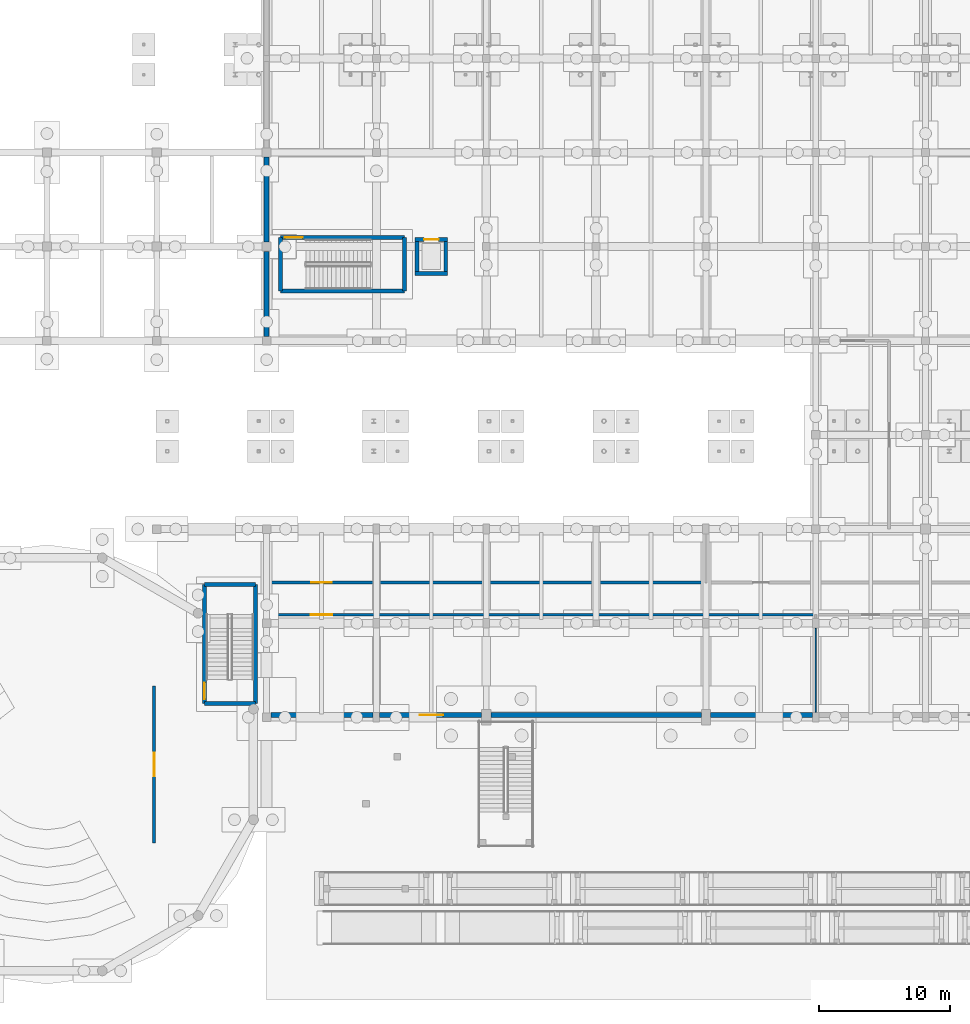
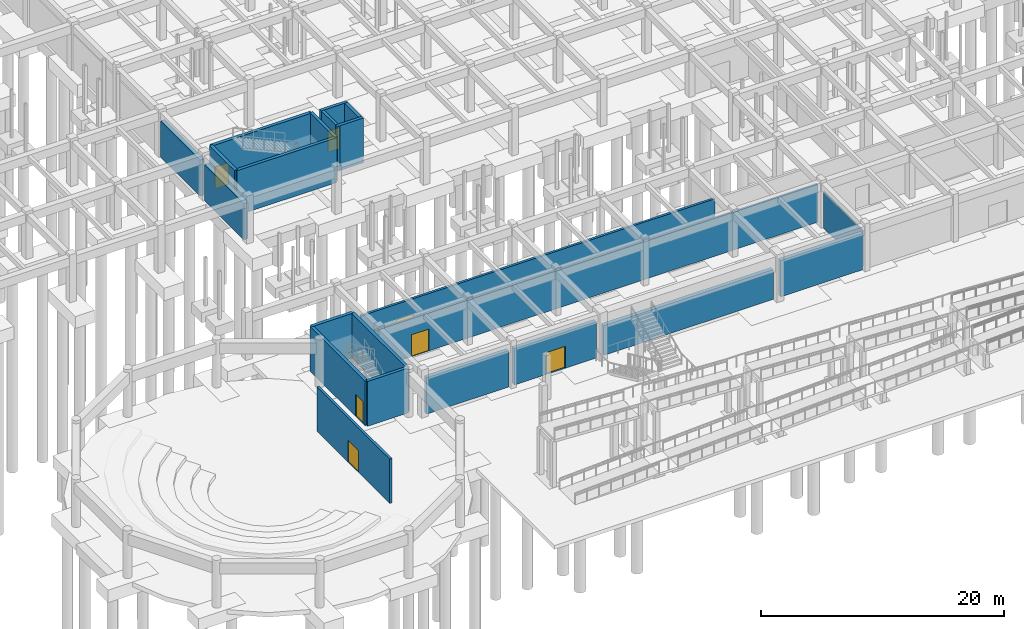
# One storey, part 58 of 80: 22 walls, 7 doors, 7 openings.
"""IFC4 building model written with IfcOpenShell, lengths in metres."""

import ifcopenshell
import ifcopenshell.guid

model = None  # the IFC model being written
_history = None  # IfcOwnerHistory: only IFC2X3 demands one
_inside = {}  # id of a spatial element -> (the spatial element, [elements in it])
_under = {}  # id of a project, library or spatial element -> (it, [spatial elements below it])
_declared = {}  # id of a project -> (the project, [libraries it declares])
_typed = {}  # id of a type object -> (the type object, [elements of that type])
_made_of = {}  # id of a material, layer set ... -> (it, [elements and type objects made of it])


def new_model(schema):
    """Start an empty IFC model of exactly this schema.

    Asked for "IFC4X3", IfcOpenShell would pick the latest addendum, in which some entities
    have other attributes; the version numbers below select the first issue.
    IFC2X3 requires an IfcOwnerHistory on every rooted entity: one is made here for all.
    """
    global model, _history
    if schema == "IFC4X3":
        model = ifcopenshell.file(schema_version=(4, 3, 0, 0))
    else:
        model = ifcopenshell.file(schema=schema)
    _inside.clear()
    _under.clear()
    _declared.clear()
    _typed.clear()
    _made_of.clear()
    _history = None
    if model.schema == "IFC2X3":
        org = make("IfcOrganization", Name="unknown")
        user = make(
            "IfcPersonAndOrganization",
            ThePerson=make("IfcPerson", FamilyName="unknown"),
            TheOrganization=org,
        )
        app = make(
            "IfcApplication",
            ApplicationDeveloper=org,
            Version="unknown",
            ApplicationFullName="unknown",
            ApplicationIdentifier="unknown",
        )
        _history = make(
            "IfcOwnerHistory",
            OwningUser=user,
            OwningApplication=app,
            ChangeAction="ADDED",
            CreationDate=0,
        )
    return model


def make(cls, **values):
    """One entity of the class cls with the attributes given. An attribute that is None is left unset."""
    return model.create_entity(
        cls, **{name: value for name, value in values.items() if value is not None}
    )


def rooted(cls, **values):
    """An entity with a GlobalId (a new one), such as an element, a storey or a relation."""
    return make(cls, GlobalId=ifcopenshell.guid.new(), OwnerHistory=_history, **values)


def si_unit(unit_type, name, prefix=None):
    """IfcSIUnit, for example si_unit("LENGTHUNIT", "METRE", prefix="MILLI")."""
    return make("IfcSIUnit", UnitType=unit_type, Prefix=prefix, Name=name)


def assignment(units):
    """IfcUnitAssignment: the units of a project."""
    return None if units is None else make("IfcUnitAssignment", Units=units)


def point(xyz):
    """IfcCartesianPoint."""
    return None if xyz is None else make("IfcCartesianPoint", Coordinates=xyz)


def direction(xyz):
    """IfcDirection."""
    return None if xyz is None else make("IfcDirection", DirectionRatios=xyz)


def frame(location, z_axis=None, x_axis=None):
    """IfcAxis2Placement3D, a coordinate frame: its origin and axes. An axis left out is left unset."""
    return make(
        "IfcAxis2Placement3D",
        Location=point(location),
        Axis=direction(z_axis),
        RefDirection=direction(x_axis),
    )


def frame_2d(location, x_axis=None):
    """IfcAxis2Placement2D, a coordinate frame in the plane: its origin and x axis."""
    return make(
        "IfcAxis2Placement2D", Location=point(location), RefDirection=direction(x_axis)
    )


def origin():
    """The frame at (0, 0, 0) with its axes left unset."""
    return frame((0.0, 0.0, 0.0))


def place(relative_to, where):
    """IfcLocalPlacement: puts the frame where relative to a parent placement (None: the world)."""
    return make(
        "IfcLocalPlacement", PlacementRelTo=relative_to, RelativePlacement=where
    )


def context(
    kind, dimensions, precision=None, world=None, true_north=None, identifier=None
):
    """IfcGeometricRepresentationContext, for example the 3D "Model" context."""
    return make(
        "IfcGeometricRepresentationContext",
        ContextIdentifier=identifier,
        ContextType=kind,
        CoordinateSpaceDimension=dimensions,
        Precision=precision,
        WorldCoordinateSystem=world,
        TrueNorth=true_north,
    )


def subcontext(parent, identifier, kind, view, scale=None):
    """IfcGeometricRepresentationSubContext, for example "Body" below "Model"."""
    return make(
        "IfcGeometricRepresentationSubContext",
        ContextIdentifier=identifier,
        ContextType=kind,
        ParentContext=parent,
        TargetScale=scale,
        TargetView=view,
    )


def project(units=None, contexts=None):
    """IfcProject with its units and contexts."""
    return rooted(
        "IfcProject",
        Name="project",
        RepresentationContexts=contexts,
        UnitsInContext=assignment(units),
    )


def spatial(cls, under=None, at=None, **own):
    """A site, building, storey or space (cls), placed at a placement, below another one or the project."""
    s = rooted(cls, ObjectPlacement=at, **own)
    if under is not None:
        _under.setdefault(under.id(), (under, []))[1].append(s)
    return s


def profile(cls, at=None, kind="AREA", **sizes):
    """A parametric profile (cls). Its sizes go by their IFC names, for example OverallWidth=200.0."""
    return make(cls, ProfileType=kind, Position=at, **sizes)


def rectangle(**sizes):
    """IfcRectangleProfileDef."""
    return profile("IfcRectangleProfileDef", **sizes)


def extrude(swept, where, along, depth):
    """IfcExtrudedAreaSolid: the profile swept, set in the frame where, extruded along a direction by depth."""
    return make(
        "IfcExtrudedAreaSolid",
        SweptArea=swept,
        Position=where,
        ExtrudedDirection=direction(along),
        Depth=depth,
    )


def shape(context_of_items, identifier, shape_type, items):
    """IfcShapeRepresentation: the items that make up one representation, for example the "Body"."""
    return make(
        "IfcShapeRepresentation",
        ContextOfItems=context_of_items,
        RepresentationIdentifier=identifier,
        RepresentationType=shape_type,
        Items=items,
    )


def material(Name=None, Category=None):
    """IfcMaterial."""
    return make("IfcMaterial", Name=Name, Category=Category)


def layer(
    of_material, thickness, ventilated=None, Name=None, Category=None, Priority=None
):
    """IfcMaterialLayer: one layer of a wall or slab, of a material (None: an air gap)."""
    return make(
        "IfcMaterialLayer",
        Material=of_material,
        LayerThickness=thickness,
        IsVentilated=ventilated,
        Name=Name,
        Category=Category,
        Priority=Priority,
    )


def layer_set(layers, Name=None):
    """IfcMaterialLayerSet."""
    return make("IfcMaterialLayerSet", MaterialLayers=layers, LayerSetName=Name)


def made_of(thing, what):
    """Note that an element or type object is made of a material, layer set ...; save() writes the relation."""
    if what is not None:
        _made_of.setdefault(what.id(), (what, []))[1].append(thing)
    return thing


def type_object(cls, material=None, **own):
    """A type object (cls), such as IfcWallType, which elements share."""
    return made_of(rooted(cls, **own), material)


def element(
    cls,
    number,
    at=None,
    inside=None,
    cuts=None,
    type_object=None,
    material=None,
    context=None,
    identifier="Body",
    shape_type=None,
    held_by="IfcProductDefinitionShape",
    body=None,
    shapes=None,
    **own,
):
    """One element of the class cls, such as IfcWall. Its Tag is "e" and its number.

    at: its placement. inside: the storey or other place that contains it. cuts: it is an
    opening in that element (IfcRelVoidsElement). A single representation is given by context,
    identifier, shape_type and body (its items); several are given by shapes. held_by: the class
    of the entity that holds the representations. save() writes the other relations.
    """
    e = rooted(cls, Tag="e%d" % number, ObjectPlacement=at, **own)
    if body is not None:
        shapes = [shape(context, identifier, shape_type, body)]
    if shapes is not None:
        e.Representation = make(held_by, Representations=shapes)
    if inside is not None:
        _inside.setdefault(inside.id(), (inside, []))[1].append(e)
    if cuts is not None:
        rooted(
            "IfcRelVoidsElement", RelatingBuildingElement=cuts, RelatedOpeningElement=e
        )
    if type_object is not None:
        _typed.setdefault(type_object.id(), (type_object, []))[1].append(e)
    return made_of(e, material)


def fill(opening, filler):
    """IfcRelFillsElement: the door or window that sits in an opening."""
    return rooted(
        "IfcRelFillsElement",
        RelatingOpeningElement=opening,
        RelatedBuildingElement=filler,
    )


def aggregate(whole, parts):
    """IfcRelAggregates: a whole, such as a stair, and the parts it consists of."""
    return rooted("IfcRelAggregates", RelatingObject=whole, RelatedObjects=parts)


def save(model, path):
    """Write the relations noted so far, then the file.

    IfcRelAggregates (storeys below a building ...), IfcRelContainedInSpatialStructure (elements
    in a storey), IfcRelDefinesByType, IfcRelAssociatesMaterial and IfcRelDeclares: one each for
    every whole, place, type object, material and project.
    """
    for whole, parts in _under.values():
        aggregate(whole, parts)
    for where, things in _inside.values():
        rooted(
            "IfcRelContainedInSpatialStructure",
            RelatedElements=things,
            RelatingStructure=where,
        )
    for kind, things in _typed.values():
        rooted("IfcRelDefinesByType", RelatedObjects=things, RelatingType=kind)
    for what, things in _made_of.values():
        rooted("IfcRelAssociatesMaterial", RelatedObjects=things, RelatingMaterial=what)
    for by, libraries in _declared.values():
        rooted("IfcRelDeclares", RelatingContext=by, RelatedDefinitions=libraries)
    model.write(path)


model = new_model("IFC4")

# Units and contexts
model_context = context("Model", 3, precision=1e-05, world=origin(), true_north=direction((0.0, 1.0)))
body_context = subcontext(model_context, "Body", "Model", "MODEL_VIEW")
ifc_project = project(units=[si_unit("LENGTHUNIT", "METRE"), si_unit("AREAUNIT", "SQUARE_METRE"), si_unit("VOLUMEUNIT", "CUBIC_METRE"), si_unit("PLANEANGLEUNIT", "RADIAN"), si_unit("MASSUNIT", "GRAM", prefix="KILO")], contexts=[model_context])

# Site, building, storey
site_placement = place(None, origin())
site = spatial("IfcSite", under=ifc_project, at=site_placement, CompositionType="ELEMENT")
building_placement = place(site_placement, origin())
building = spatial("IfcBuilding", under=site, at=building_placement, Name="Malvenik Polytechnic", CompositionType="ELEMENT")
storey_placement = place(building_placement, frame((0.0, 0.0, -4.800048828125)))
storey = spatial("IfcBuildingStorey", under=building, at=storey_placement, Name="B1", CompositionType="ELEMENT", Elevation=-4.800048828125)

# Wall
ifc_material_1 = material(Name="Concrete C35/45", Category="concrete")
ifc_layer_1 = layer(ifc_material_1, 0.280029296875)
ifc_layer_set_1 = layer_set([ifc_layer_1], Name="Concrete C35/45")
wall_type_1 = type_object("IfcWallType", Name="ARC-CW-S280", PredefinedType="SHEAR", material=ifc_layer_set_1)
wall_1_placement = place(storey_placement, frame((47.43994140625, 55.550048828125, 0.0), z_axis=(0.0, 0.0, 1.0), x_axis=(-1.0, 0.0, 0.0)))
element("IfcWall", 1, at=wall_1_placement, inside=storey, type_object=wall_type_1, Name="Lift Shaft Shear Wall LP-03 B1 -Y", PredefinedType="SHEAR", context=body_context, shape_type="SweptSolid", body=[
    extrude(rectangle(XDim=2.47998046875, YDim=0.280029296875, at=frame_2d((1.239990234375, 0.0))), origin(), (0.0, 0.0, 1.0), 4.5),
])

# Wall, opening, door
wall_2_placement = place(storey_placement, frame((44.9599609375, 58.14990234375, 0.0), z_axis=(0.0, 0.0, 1.0), x_axis=(1.0, 0.0, 0.0)))
wall_2 = element("IfcWall", 2, at=wall_2_placement, inside=storey, type_object=wall_type_1, Name="Lift Shaft Shear Wall LP-03 B1 +Y", PredefinedType="SHEAR", context=body_context, shape_type="SweptSolid", body=[
    extrude(rectangle(XDim=2.47998046875, YDim=0.280029296875, at=frame_2d((1.239990234375, 0.0))), origin(), (0.0, 0.0, 1.0), 4.5),
])
opening_1_placement = place(wall_2_placement, frame((0.68994140625, 0.0, 0.0)))
opening_1 = element("IfcOpeningElement", 3, at=opening_1_placement, cuts=wall_2, Name="Opening LD-01", PredefinedType="OPENING", context=body_context, shape_type="SweptSolid", body=[
    extrude(rectangle(XDim=1.10009765625, YDim=2.14990234375, at=frame_2d((0.550048828125, 1.074951171875))), frame((0.0, 0.14990234375, 0.0), z_axis=(0.0, -1.0, 0.0), x_axis=(1.0, 0.0, 0.0)), (0.0, 0.0, 1.0), 0.300048828125),
])
ifc_material_2 = material(Name="Stainless steel fire-rated sliding lift landing door", Category="steel")
door_type_1 = type_object("IfcDoorType", Name="ARC-LDR-LD-01", OperationType="NOTDEFINED", PredefinedType="DOOR", material=ifc_material_2)
door_1_placement = place(opening_1_placement, origin())
door_1 = element("IfcDoor", 4, at=door_1_placement, inside=storey, type_object=door_type_1, Name="Lift Sliding Landing Door LP-03 B1", OperationType="DOUBLE_DOOR_SLIDING", OverallHeight=2.14990234375, OverallWidth=1.10009765625, PredefinedType="DOOR", context=body_context, shape_type="SweptSolid", body=[
    extrude(rectangle(XDim=1.10009765625, YDim=2.14990234375, at=frame_2d((0.550048828125, 1.074951171875))), frame((0.0, 0.02490234375, 0.0), z_axis=(0.0, -1.0, 0.0), x_axis=(1.0, 0.0, 0.0)), (0.0, 0.0, 1.0), 0.050048828125),
])
fill(opening_1, door_1)

# Walls
for number, where, z_axis, x_axis, name in (
    (5, (45.10009765625, 55.409912109375, 0.0), (0.0, 0.0, 1.0), (0.0, 1.0, 0.0), "Lift Shaft Shear Wall LP-03 B1 -X"),
    (6, (47.300048828125, 58.2900390625, 0.0), (0.0, 0.0, 1.0), (0.0, -1.0, 0.0), "Lift Shaft Shear Wall LP-03 B1 +X"),
):
    element("IfcWall", number, at=place(storey_placement, frame(where, z_axis=z_axis, x_axis=x_axis)), inside=storey, type_object=wall_type_1, Name=name, PredefinedType="SHEAR", context=body_context, shape_type="SweptSolid", body=[
        extrude(rectangle(XDim=2.880126953125, YDim=0.280029296875, at=frame_2d((1.43994140625, 0.0))), origin(), (0.0, 0.0, 1.0), 4.5),
    ])
ifc_layer_2 = layer(ifc_material_1, 0.300048828125)
ifc_layer_set_2 = layer_set([ifc_layer_2], Name="Concrete C35/45")
wall_type_2 = type_object("IfcWallType", Name="ARC-CW-S300", PredefinedType="SHEAR", material=ifc_layer_set_2)
wall_3_placement = place(storey_placement, frame((34.64990234375, 54.199951171875, 0.0), z_axis=(0.0, 0.0, 1.0), x_axis=(0.0, 1.0, 0.0)))
element("IfcWall", 7, at=wall_3_placement, inside=storey, type_object=wall_type_2, Name="Stair Core Shear Wall ST-06 B1 NEAR", PredefinedType="SHEAR", context=body_context, shape_type="SweptSolid", body=[
    extrude(rectangle(XDim=4.10009765625, YDim=0.300048828125, at=frame_2d((2.050048828125, 0.0))), origin(), (0.0, 0.0, 1.0), 4.5),
])

# Wall, opening, door
wall_4_placement = place(storey_placement, frame((34.64990234375, 58.300048828125, 0.0), z_axis=(0.0, 0.0, 1.0), x_axis=(1.0, 0.0, 0.0)))
wall_4 = element("IfcWall", 8, at=wall_4_placement, inside=storey, type_object=wall_type_2, Name="Stair Core Shear Wall ST-06 B1 RGHT", PredefinedType="SHEAR", context=body_context, shape_type="SweptSolid", body=[
    extrude(rectangle(XDim=9.5, YDim=0.300048828125, at=frame_2d((4.75, 0.0))), origin(), (0.0, 0.0, 1.0), 4.5),
])
opening_2_placement = place(wall_4_placement, frame((0.35009765625, 0.0, 0.0)))
opening_2 = element("IfcOpeningElement", 9, at=opening_2_placement, cuts=wall_4, Name="Opening SD-01", PredefinedType="OPENING", context=body_context, shape_type="SweptSolid", body=[
    extrude(rectangle(XDim=1.35009765625, YDim=2.199951171875, at=frame_2d((0.675048828125, 1.10009765625))), frame((0.0, 0.16015625, 0.0), z_axis=(0.0, -1.0, 0.0), x_axis=(1.0, 0.0, 0.0)), (0.0, 0.0, 1.0), 0.320068359375),
])
ifc_material_3 = material(Name="Fire-rated steel stair enclosure door", Category="steel")
door_type_2 = type_object("IfcDoorType", Name="ARC-IDR-SD-01", OperationType="NOTDEFINED", PredefinedType="DOOR", material=ifc_material_3)
door_2_placement = place(opening_2_placement, origin())
door_2 = element("IfcDoor", 10, at=door_2_placement, inside=storey, type_object=door_type_2, Name="Fire Stair Door ST-06 B1", OperationType="SINGLE_SWING_LEFT", OverallHeight=2.199951171875, OverallWidth=1.35009765625, PredefinedType="DOOR", context=body_context, shape_type="SweptSolid", body=[
    extrude(rectangle(XDim=1.35009765625, YDim=2.199951171875, at=frame_2d((0.675048828125, 1.10009765625))), frame((0.0, 0.02490234375, 0.0), z_axis=(0.0, -1.0, 0.0), x_axis=(1.0, 0.0, 0.0)), (0.0, 0.0, 1.0), 0.050048828125),
])
fill(opening_2, door_2)

# Walls
wall_5_placement = place(storey_placement, frame((44.14990234375, 58.300048828125, 0.0), z_axis=(0.0, 0.0, 1.0), x_axis=(0.0, -1.0, 0.0)))
element("IfcWall", 11, at=wall_5_placement, inside=storey, type_object=wall_type_2, Name="Stair Core Shear Wall ST-06 B1 FAR", PredefinedType="SHEAR", context=body_context, shape_type="SweptSolid", body=[
    extrude(rectangle(XDim=4.10009765625, YDim=0.300048828125, at=frame_2d((2.050048828125, 0.0))), origin(), (0.0, 0.0, 1.0), 4.5),
])
wall_6_placement = place(storey_placement, frame((44.14990234375, 54.199951171875, 0.0), z_axis=(0.0, 0.0, 1.0), x_axis=(-1.0, 0.0, 0.0)))
element("IfcWall", 12, at=wall_6_placement, inside=storey, type_object=wall_type_2, Name="Stair Core Shear Wall ST-06 B1 LEFT", PredefinedType="SHEAR", context=body_context, shape_type="SweptSolid", body=[
    extrude(rectangle(XDim=9.5, YDim=0.300048828125, at=frame_2d((4.75, 0.0))), origin(), (0.0, 0.0, 1.0), 4.5),
])
wall_7_placement = place(storey_placement, frame((32.75, 22.64990234375, 0.0), z_axis=(0.0, 0.0, 1.0), x_axis=(-1.0, 0.0, 0.0)))
element("IfcWall", 13, at=wall_7_placement, inside=storey, type_object=wall_type_2, Name="Stair Core Shear Wall ST-09 B1 NEAR", PredefinedType="SHEAR", context=body_context, shape_type="SweptSolid", body=[
    extrude(rectangle(XDim=3.89990234375, YDim=0.300048828125, at=frame_2d((1.949951171875, 0.0))), origin(), (0.0, 0.0, 1.0), 4.5),
])

# Wall, opening, door
wall_8_placement = place(storey_placement, frame((28.85009765625, 22.64990234375, 0.0), z_axis=(0.0, 0.0, 1.0), x_axis=(0.0, 1.0, 0.0)))
wall_8 = element("IfcWall", 14, at=wall_8_placement, inside=storey, type_object=wall_type_2, Name="Stair Core Shear Wall ST-09 B1 RGHT", PredefinedType="SHEAR", context=body_context, shape_type="SweptSolid", body=[
    extrude(rectangle(XDim=9.10009765625, YDim=0.300048828125, at=frame_2d((4.550048828125, 0.0))), origin(), (0.0, 0.0, 1.0), 4.5),
])
opening_3_placement = place(wall_8_placement, frame((0.35009765625, 0.0, 0.0)))
opening_3 = element("IfcOpeningElement", 15, at=opening_3_placement, cuts=wall_8, Name="Opening SD-02", PredefinedType="OPENING", context=body_context, shape_type="SweptSolid", body=[
    extrude(rectangle(XDim=1.25, YDim=2.199951171875, at=frame_2d((0.625, 1.10009765625))), frame((0.0, 0.16015625, 0.0), z_axis=(0.0, -1.0, 0.0), x_axis=(1.0, 0.0, 0.0)), (0.0, 0.0, 1.0), 0.320068359375),
])
door_type_3 = type_object("IfcDoorType", Name="ARC-IDR-SD-02", OperationType="NOTDEFINED", PredefinedType="DOOR", material=ifc_material_3)
door_3_placement = place(opening_3_placement, origin())
door_3 = element("IfcDoor", 16, at=door_3_placement, inside=storey, type_object=door_type_3, Name="Fire Stair Door ST-09 B1", OperationType="SINGLE_SWING_RIGHT", OverallHeight=2.199951171875, OverallWidth=1.25, PredefinedType="DOOR", context=body_context, shape_type="SweptSolid", body=[
    extrude(rectangle(XDim=1.25, YDim=2.199951171875, at=frame_2d((0.625, 1.10009765625))), frame((0.0, 0.02490234375, 0.0), z_axis=(0.0, -1.0, 0.0), x_axis=(1.0, 0.0, 0.0)), (0.0, 0.0, 1.0), 0.050048828125),
])
fill(opening_3, door_3)

# Walls
wall_9_placement = place(storey_placement, frame((28.85009765625, 31.75, 0.0), z_axis=(0.0, 0.0, 1.0), x_axis=(1.0, 0.0, 0.0)))
element("IfcWall", 17, at=wall_9_placement, inside=storey, type_object=wall_type_2, Name="Stair Core Shear Wall ST-09 B1 FAR", PredefinedType="SHEAR", context=body_context, shape_type="SweptSolid", body=[
    extrude(rectangle(XDim=3.89990234375, YDim=0.300048828125, at=frame_2d((1.949951171875, 0.0))), origin(), (0.0, 0.0, 1.0), 4.5),
])
wall_10_placement = place(storey_placement, frame((32.75, 31.75, 0.0), z_axis=(0.0, 0.0, 1.0), x_axis=(0.0, -1.0, 0.0)))
element("IfcWall", 18, at=wall_10_placement, inside=storey, type_object=wall_type_2, Name="Stair Core Shear Wall ST-09 B1 LEFT", PredefinedType="SHEAR", context=body_context, shape_type="SweptSolid", body=[
    extrude(rectangle(XDim=9.10009765625, YDim=0.300048828125, at=frame_2d((4.550048828125, 0.0))), origin(), (0.0, 0.0, 1.0), 4.5),
])
ifc_material_4 = material(Name="Concrete C30/37", Category="concrete")
ifc_layer_3 = layer(ifc_material_4, 0.3798828125)
ifc_layer_set_3 = layer_set([ifc_layer_3], Name="Concrete C30/37")
wall_type_3 = type_object("IfcWallType", Name="ARC-EW-380", PredefinedType="SOLIDWALL", material=ifc_layer_set_3)
wall_11_placement = place(storey_placement, frame((75.35205078125, 21.77001953125, 0.0), z_axis=(0.0, 0.0, 1.0), x_axis=(-1.0, 0.0, 0.0)))
element("IfcWall", 19, at=wall_11_placement, inside=storey, type_object=wall_type_3, Name="External Facade Wall EW-01 B1 #8", PredefinedType="SOLIDWALL", context=body_context, shape_type="SweptSolid", body=[
    extrude(rectangle(XDim=7.803955078125, YDim=0.3798828125, at=frame_2d((3.90185546875, 0.0))), origin(), (0.0, 0.0, 1.0), 3.64013671875),
])
wall_12_placement = place(storey_placement, frame((66.85205078125, 21.77001953125, 0.0), z_axis=(0.0, 0.0, 1.0), x_axis=(-1.0, 0.0, 0.0)))
element("IfcWall", 20, at=wall_12_placement, inside=storey, type_object=wall_type_3, Name="External Facade Wall EW-01 B1 #9", PredefinedType="SOLIDWALL", context=body_context, shape_type="SweptSolid", body=[
    extrude(rectangle(XDim=16.10400390625, YDim=0.3798828125, at=frame_2d((8.052001953125, 0.0))), origin(), (0.0, 0.0, 1.0), 2.989990234375),
])

# Wall, opening, door
wall_13_placement = place(storey_placement, frame((50.052001953125, 21.77001953125, 0.0), z_axis=(0.0, 0.0, 1.0), x_axis=(-1.0, 0.0, 0.0)))
wall_13 = element("IfcWall", 21, at=wall_13_placement, inside=storey, type_object=wall_type_3, Name="External Facade Wall EW-01 B1 #10", PredefinedType="SOLIDWALL", context=body_context, shape_type="SweptSolid", body=[
    extrude(rectangle(XDim=7.803955078125, YDim=0.3798828125, at=frame_2d((3.90185546875, 0.0))), origin(), (0.0, 0.0, 1.0), 3.64013671875),
])
opening_4_placement = place(wall_13_placement, frame((2.951904296875, 0.0, 0.0)))
opening_4 = element("IfcOpeningElement", 22, at=opening_4_placement, cuts=wall_13, Name="Opening TD-01", PredefinedType="OPENING", context=body_context, shape_type="SweptSolid", body=[
    extrude(rectangle(XDim=1.800048828125, YDim=2.199951171875, at=frame_2d((0.89990234375, 1.10009765625))), frame((0.0, 0.199951171875, 0.0), z_axis=(0.0, -1.0, 0.0), x_axis=(1.0, 0.0, 0.0)), (0.0, 0.0, 1.0), 0.39990234375),
])
ifc_material_5 = material(Name="Thermally broken glazed aluminium terrace door", Category="aluminium")
door_type_4 = type_object("IfcDoorType", Name="ARC-EDR-TD-01", OperationType="NOTDEFINED", PredefinedType="DOOR", material=ifc_material_5)
door_4_placement = place(opening_4_placement, origin())
door_4 = element("IfcDoor", 23, at=door_4_placement, inside=storey, type_object=door_type_4, Name="External Door TD-01 B1 #2", OperationType="DOUBLE_DOOR_SINGLE_SWING", OverallHeight=2.199951171875, OverallWidth=1.800048828125, PredefinedType="DOOR", context=body_context, shape_type="SweptSolid", body=[
    extrude(rectangle(XDim=1.800048828125, YDim=2.199951171875, at=frame_2d((0.89990234375, 1.10009765625))), frame((0.0, 0.02490234375, 0.0), z_axis=(0.0, -1.0, 0.0), x_axis=(1.0, 0.0, 0.0)), (0.0, 0.0, 1.0), 0.050048828125),
])
fill(opening_4, door_4)

# Wall
wall_14_placement = place(storey_placement, frame((41.751953125, 21.77001953125, 0.0), z_axis=(0.0, 0.0, 1.0), x_axis=(-1.0, 0.0, 0.0)))
element("IfcWall", 24, at=wall_14_placement, inside=storey, type_object=wall_type_3, Name="External Facade Wall EW-01 B1 #11", PredefinedType="SOLIDWALL", context=body_context, shape_type="SweptSolid", body=[
    extrude(rectangle(XDim=7.828857421875, YDim=0.3798828125, at=frame_2d((3.91455078125, 0.0))), origin(), (0.0, 0.0, 1.0), 3.64013671875),
])

# Wall, opening, door
ifc_material_6 = material(Name="Autoclaved aerated concrete blockwork 220mm", Category="masonry")
ifc_layer_4 = layer(ifc_material_6, 0.219970703125)
ifc_layer_set_4 = layer_set([ifc_layer_4], Name="Autoclaved aerated concrete blockwork 220mm")
wall_type_4 = type_object("IfcWallType", Name="ARC-FW-220", PredefinedType="SOLIDWALL", material=ifc_layer_set_4)
wall_15_placement = place(storey_placement, frame((33.60009765625, 31.89990234375, 0.0), z_axis=(0.0, 0.0, 1.0), x_axis=(1.0, 0.0, 0.0)))
wall_15 = element("IfcWall", 25, at=wall_15_placement, inside=storey, type_object=wall_type_4, Name="Interior Partition FW-01 B1 #29", PredefinedType="SOLIDWALL", context=body_context, shape_type="SweptSolid", body=[
    extrude(rectangle(XDim=33.599853515625, YDim=0.219970703125, at=frame_2d((16.7998046875, 0.0))), origin(), (0.0, 0.0, 1.0), 3.78515625),
])
opening_5_placement = place(wall_15_placement, frame((3.425048828125, 0.0, 0.0)))
opening_5 = element("IfcOpeningElement", 26, at=opening_5_placement, cuts=wall_15, Name="Opening FD-09", PredefinedType="OPENING", context=body_context, shape_type="SweptSolid", body=[
    extrude(rectangle(XDim=1.550048828125, YDim=2.199951171875, at=frame_2d((0.77490234375, 1.10009765625))), frame((0.0, 0.1201171875, 0.0), z_axis=(0.0, -1.0, 0.0), x_axis=(1.0, 0.0, 0.0)), (0.0, 0.0, 1.0), 0.239990234375),
])
ifc_material_7 = material(Name="Fire-rated studio corridor double door", Category="steel")
door_type_5 = type_object("IfcDoorType", Name="ARC-IDR-FD-09", OperationType="NOTDEFINED", PredefinedType="DOOR", material=ifc_material_7)
door_5_placement = place(opening_5_placement, origin())
door_5 = element("IfcDoor", 27, at=door_5_placement, inside=storey, type_object=door_type_5, Name="Interior Door FD-09 B1 #14", OperationType="DOUBLE_DOOR_SINGLE_SWING", OverallHeight=2.199951171875, OverallWidth=1.550048828125, PredefinedType="DOOR", context=body_context, shape_type="SweptSolid", body=[
    extrude(rectangle(XDim=1.550048828125, YDim=2.199951171875, at=frame_2d((0.77490234375, 1.10009765625))), frame((0.0, 0.02490234375, 0.0), z_axis=(0.0, -1.0, 0.0), x_axis=(1.0, 0.0, 0.0)), (0.0, 0.0, 1.0), 0.050048828125),
])
fill(opening_5, door_5)

wall_16_placement = place(storey_placement, frame((75.60009765625, 29.449951171875, 0.0), z_axis=(0.0, 0.0, 1.0), x_axis=(-1.0, 0.0, 0.0)))
wall_16 = element("IfcWall", 28, at=wall_16_placement, inside=storey, type_object=wall_type_4, Name="Interior Partition FW-01 B1 #34", PredefinedType="SOLIDWALL", context=body_context, shape_type="SweptSolid", body=[
    extrude(rectangle(XDim=42.0, YDim=0.219970703125, at=frame_2d((21.0, 0.0))), origin(), (0.0, 0.0, 1.0), 3.78515625),
])
opening_6_placement = place(wall_16_placement, frame((36.97509765625, 0.0, 0.0)))
opening_6 = element("IfcOpeningElement", 29, at=opening_6_placement, cuts=wall_16, Name="Opening FD-03", PredefinedType="OPENING", context=body_context, shape_type="SweptSolid", body=[
    extrude(rectangle(XDim=1.64990234375, YDim=2.199951171875, at=frame_2d((0.824951171875, 1.10009765625))), frame((0.0, 0.1201171875, 0.0), z_axis=(0.0, -1.0, 0.0), x_axis=(1.0, 0.0, 0.0)), (0.0, 0.0, 1.0), 0.239990234375),
])
ifc_material_8 = material(Name="Fire-rated double-leaf laboratory door", Category="steel")
door_type_6 = type_object("IfcDoorType", Name="ARC-IDR-FD-03", OperationType="NOTDEFINED", PredefinedType="DOOR", material=ifc_material_8)
door_6_placement = place(opening_6_placement, origin())
door_6 = element("IfcDoor", 30, at=door_6_placement, inside=storey, type_object=door_type_6, Name="Interior Door FD-03 B1 #17", OperationType="DOUBLE_DOOR_SINGLE_SWING", OverallHeight=2.199951171875, OverallWidth=1.64990234375, PredefinedType="DOOR", context=body_context, shape_type="SweptSolid", body=[
    extrude(rectangle(XDim=1.64990234375, YDim=2.199951171875, at=frame_2d((0.824951171875, 1.10009765625))), frame((0.0, 0.02490234375, 0.0), z_axis=(0.0, -1.0, 0.0), x_axis=(1.0, 0.0, 0.0)), (0.0, 0.0, 1.0), 0.050048828125),
])
fill(opening_6, door_6)

wall_17_placement = place(storey_placement, frame((25.0, 12.0, 0.0), z_axis=(0.0, 0.0, 1.0), x_axis=(0.0, 1.0, 0.0)))
wall_17 = element("IfcWall", 31, at=wall_17_placement, inside=storey, type_object=wall_type_4, Name="Interior Partition FW-01 B1 #44", PredefinedType="SOLIDWALL", context=body_context, shape_type="SweptSolid", body=[
    extrude(rectangle(XDim=12.0, YDim=0.219970703125, at=frame_2d((6.0, 0.0))), origin(), (0.0, 0.0, 1.0), 4.449951171875),
])
opening_7_placement = place(wall_17_placement, frame((5.10009765625, 0.0, 0.0)))
opening_7 = element("IfcOpeningElement", 32, at=opening_7_placement, cuts=wall_17, Name="Opening FD-02", PredefinedType="OPENING", context=body_context, shape_type="SweptSolid", body=[
    extrude(rectangle(XDim=1.800048828125, YDim=2.199951171875, at=frame_2d((0.89990234375, 1.10009765625))), frame((0.0, 0.1201171875, 0.0), z_axis=(0.0, -1.0, 0.0), x_axis=(1.0, 0.0, 0.0)), (0.0, 0.0, 1.0), 0.239990234375),
])
ifc_material_9 = material(Name="Fire-rated double-leaf corridor compartment door", Category="steel")
door_type_7 = type_object("IfcDoorType", Name="ARC-IDR-FD-02", OperationType="NOTDEFINED", PredefinedType="DOOR", material=ifc_material_9)
door_7_placement = place(opening_7_placement, origin())
door_7 = element("IfcDoor", 33, at=door_7_placement, inside=storey, type_object=door_type_7, Name="Interior Door FD-02 B1 #21", OperationType="DOUBLE_DOOR_SINGLE_SWING", OverallHeight=2.199951171875, OverallWidth=1.800048828125, PredefinedType="DOOR", context=body_context, shape_type="SweptSolid", body=[
    extrude(rectangle(XDim=1.800048828125, YDim=2.199951171875, at=frame_2d((0.89990234375, 1.10009765625))), frame((0.0, 0.02490234375, 0.0), z_axis=(0.0, -1.0, 0.0), x_axis=(1.0, 0.0, 0.0)), (0.0, 0.0, 1.0), 0.050048828125),
])
fill(opening_7, door_7)

# Walls
ifc_material_10 = material(Name="Lightweight gypsum partition 110mm", Category="gypsum")
ifc_layer_5 = layer(ifc_material_10, 0.110107421875)
ifc_layer_set_5 = layer_set([ifc_layer_5], Name="Lightweight gypsum partition 110mm")
wall_type_5 = type_object("IfcWallType", Name="ARC-PW-110", PredefinedType="PARTITIONING", material=ifc_layer_set_5)
wall_18_placement = place(storey_placement, frame((75.60009765625, 21.9951171875, 0.0), z_axis=(0.0, 0.0, 1.0), x_axis=(0.0, 1.0, 0.0)))
element("IfcWall", 34, at=wall_18_placement, inside=storey, type_object=wall_type_5, Name="Interior Partition PW-04I B1 #35", PredefinedType="PARTITIONING", context=body_context, shape_type="SweptSolid", body=[
    extrude(rectangle(XDim=6.409912109375, YDim=0.110107421875, at=frame_2d((3.205078125, 0.0))), origin(), (0.0, 0.0, 1.0), 3.635009765625),
])
ifc_layer_6 = layer(ifc_material_1, 0.39990234375)
ifc_layer_set_6 = layer_set([ifc_layer_6], Name="Concrete C35/45")
wall_type_6 = type_object("IfcWallType", Name="STR-WL-RET-400", PredefinedType="SHEAR", material=ifc_layer_set_6)
wall_19_placement = place(storey_placement, frame((33.60009765625, 50.72998046875, 0.0), z_axis=(0.0, 0.0, 1.0), x_axis=(0.0, 1.0, 0.0)))
element("IfcWall", 35, at=wall_19_placement, inside=storey, type_object=wall_type_6, Name="Basement Retaining Wall RW-400 #35", PredefinedType="SHEAR", context=body_context, shape_type="SweptSolid", body=[
    extrude(rectangle(XDim=6.51513671875, YDim=0.39990234375, at=frame_2d((3.257568359375, 0.0))), origin(), (0.0, 0.0, 1.0), 3.64013671875),
])
wall_20_placement = place(storey_placement, frame((33.60009765625, 57.955078125, 0.0), z_axis=(0.0, 0.0, 1.0), x_axis=(0.0, 1.0, 0.0)))
element("IfcWall", 36, at=wall_20_placement, inside=storey, type_object=wall_type_6, Name="Basement Retaining Wall RW-400 #36", PredefinedType="SHEAR", context=body_context, shape_type="SweptSolid", body=[
    extrude(rectangle(XDim=6.489990234375, YDim=0.39990234375, at=frame_2d((3.2451171875, 0.0))), origin(), (0.0, 0.0, 1.0), 3.64013671875),
])

save(model, "model.ifc")
